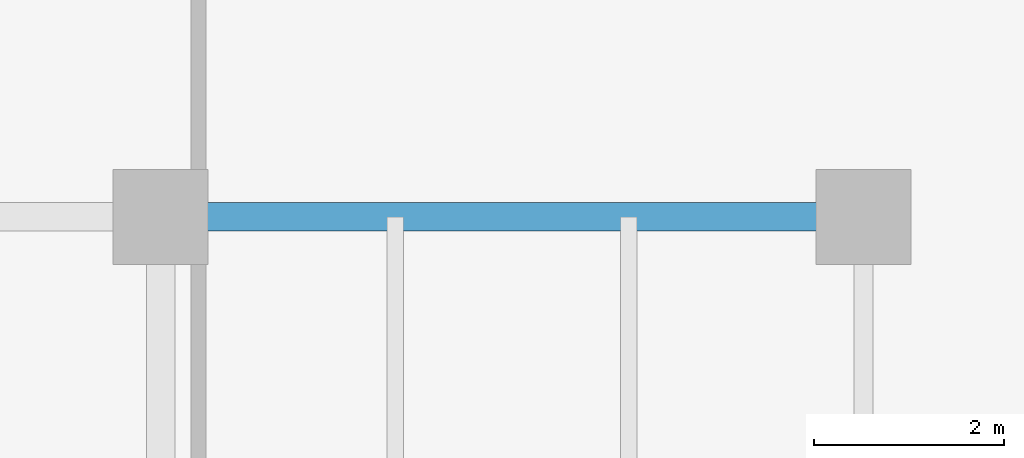
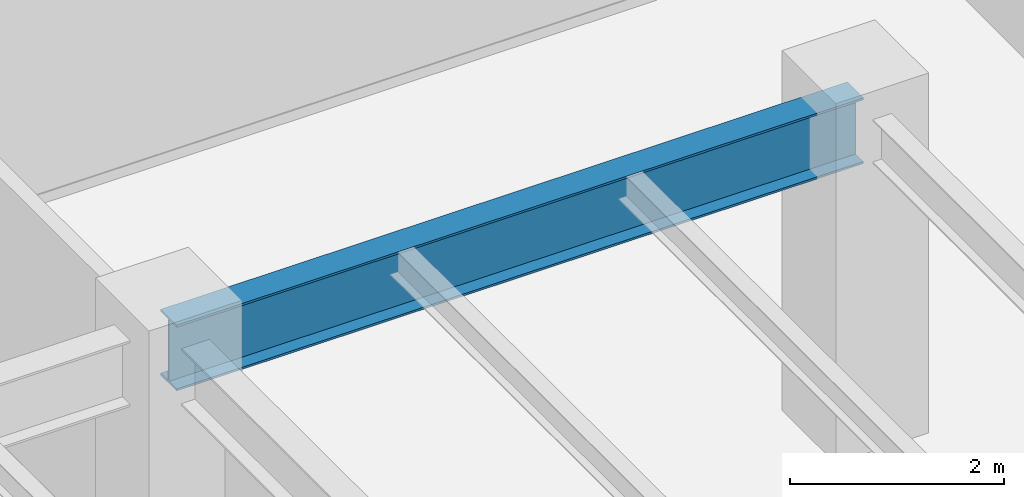
# One storey, part 21 of 35: 1 beam.
"""IFC4 building model written with IfcOpenShell, lengths in metres."""

from ifc_helpers import new_model, si_unit, direction, frame, origin, origin_2d, place, context, subcontext, project, spatial, i_section, extrude, source, transform, mapped, material, material_profile, profile_set, type_object, type_shapes, element, save


model = new_model("IFC4")

# Units and contexts
model_context = context("Model", 3, precision=1e-05, world=origin(), true_north=direction((0.0, 1.0)))
body_context = subcontext(model_context, "Body", "Model", "MODEL_VIEW")
ifc_project = project(units=[si_unit("LENGTHUNIT", "METRE"), si_unit("AREAUNIT", "SQUARE_METRE"), si_unit("VOLUMEUNIT", "CUBIC_METRE"), si_unit("PLANEANGLEUNIT", "RADIAN"), si_unit("MASSUNIT", "GRAM", prefix="KILO")], contexts=[model_context])

# Site, building, storey
site_placement = place(None, origin())
site = spatial("IfcSite", under=ifc_project, at=site_placement, CompositionType="ELEMENT")
building_placement = place(site_placement, origin())
building = spatial("IfcBuilding", under=site, at=building_placement, Name="Haelvirn Gate Laboratories", CompositionType="ELEMENT")
storey_placement = place(building_placement, frame((0.0, 0.0, 66.199951171875)))
storey = spatial("IfcBuildingStorey", under=building, at=storey_placement, Name="L16", CompositionType="ELEMENT", Elevation=66.199951171875)

# Beam
ifc_material = material(Name="Steel SM355", Category="steel")
ifc_material_profile = material_profile(ifc_material, i_section(OverallWidth=0.300048828125, OverallDepth=0.75, WebThickness=0.013916015625, FlangeThickness=0.02392578125, at=origin_2d()), Name="H-750x300x14x24")
ifc_profile_set = profile_set([ifc_material_profile], Name="Steel SM355")
beam_type = type_object("IfcBeamType", Name="BM-G-750", PredefinedType="BEAM", material=ifc_profile_set)
shared_shape = source(origin(), body_context, "Body", "SweptSolid", [
    extrude(i_section(OverallWidth=0.300048828125, OverallDepth=0.75, WebThickness=0.013916015625, FlangeThickness=0.02392578125, at=origin_2d()), origin(), (0.0, 0.0, 1.0), 7.39990234375),
])
type_shapes(beam_type, [shared_shape])
beam_placement = place(storey_placement, frame((60.0, 41.60009765625, 3.405029296875), z_axis=(1.0, 0.0, 0.0), x_axis=(0.0, 1.0, 0.0)))
element("IfcBeam", 1, at=beam_placement, inside=storey, type_object=beam_type, Name="L16 Primary Girder Y41.6 (60.0-67.4)", PredefinedType="BEAM", context=body_context, shape_type="MappedRepresentation", body=[
    mapped(shared_shape, transform((0.0, 0.0, 0.0), scale=1.0)),
])

save(model, "model.ifc")
